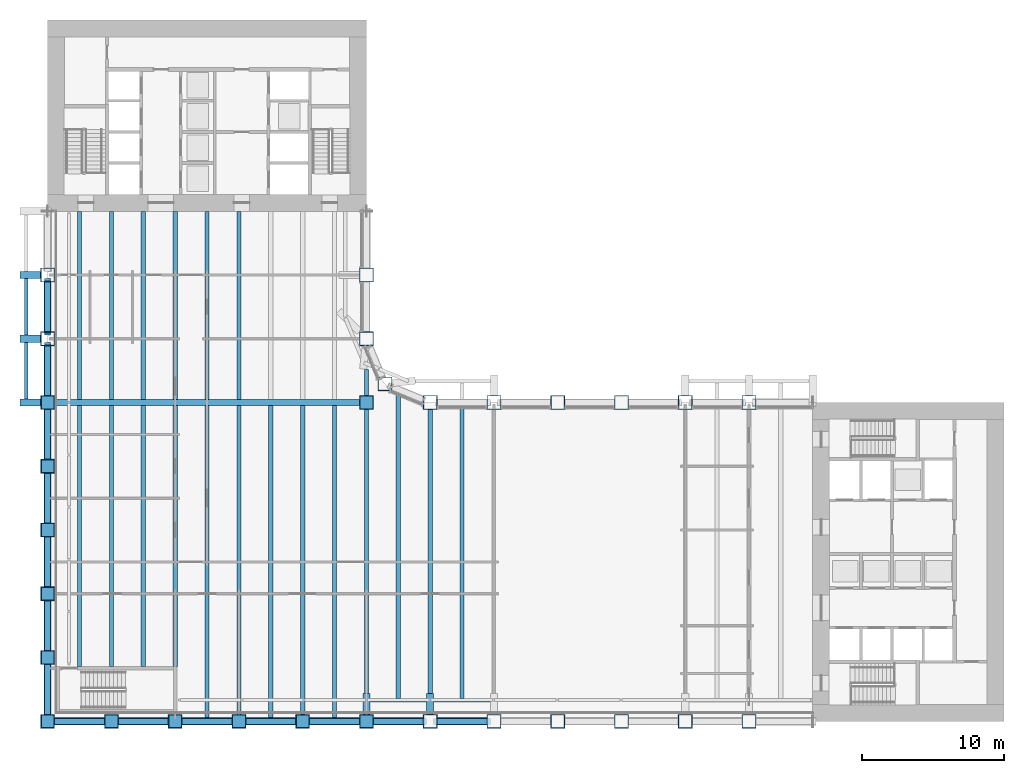
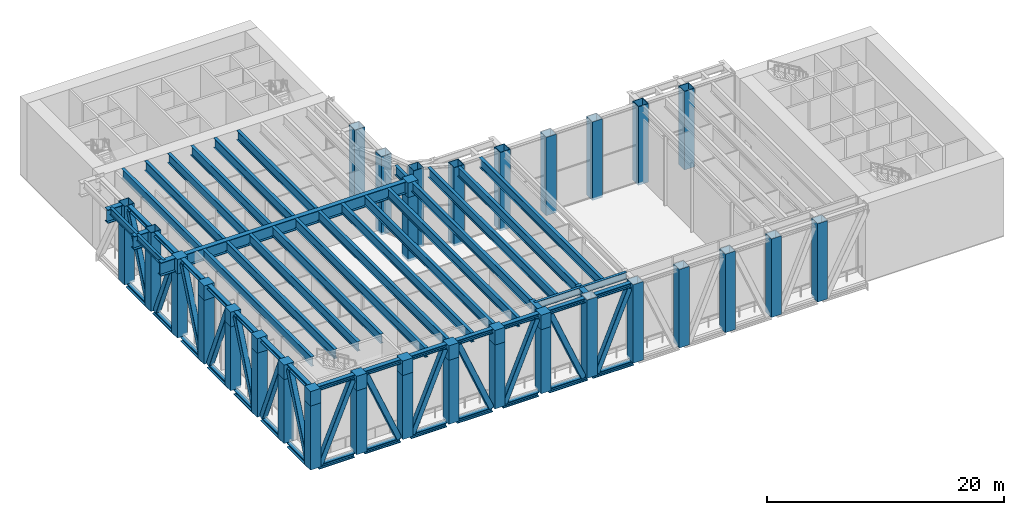
# One storey, part 1 of 21: 42 members, 41 columns, 30 beams.
"""IFC4 building model written with IfcOpenShell, lengths in metres."""

from ifc_helpers import new_model, si_unit, direction, frame, origin, origin_2d, place, context, subcontext, project, spatial, rectangle, hollow_rectangle, i_section, extrude, material, material_profile, profile_set, type_object, element, save


model = new_model("IFC4")

# Units and contexts
model_context = context("Model", 3, precision=1e-05, world=origin(), true_north=direction((0.0, 1.0)))
body_context = subcontext(model_context, "Body", "Model", "MODEL_VIEW")
ifc_project = project(units=[si_unit("LENGTHUNIT", "METRE"), si_unit("AREAUNIT", "SQUARE_METRE"), si_unit("VOLUMEUNIT", "CUBIC_METRE"), si_unit("PLANEANGLEUNIT", "RADIAN"), si_unit("MASSUNIT", "GRAM", prefix="KILO")], contexts=[model_context])

# Site, building, storey
site_placement = place(None, origin())
site = spatial("IfcSite", under=ifc_project, at=site_placement, CompositionType="ELEMENT")
building_placement = place(site_placement, origin())
building = spatial("IfcBuilding", under=site, at=building_placement, Name="Sennacour Bend Tower", CompositionType="ELEMENT")
storey_placement = place(building_placement, frame((0.0, 0.0, 131.0)))
storey = spatial("IfcBuildingStorey", under=building, at=storey_placement, Name="L30", CompositionType="ELEMENT", Elevation=131.0)

# Columns
ifc_material_1 = material(Name="Steel ASTM A572 Grade 50", Category="steel")
ifc_material_profile_1 = material_profile(ifc_material_1, hollow_rectangle(XDim=1.0, YDim=1.0, WallThickness=0.050048828125, at=origin_2d()), Name="Steel ASTM A572 Grade 50", Category="steel")
ifc_profile_set_1 = profile_set([ifc_material_profile_1], Name="Steel ASTM A572 Grade 50")
column_type_1 = type_object("IfcColumnType", Name="Box column 1000", PredefinedType="COLUMN", material=ifc_profile_set_1)
for number, where, z_axis, x_axis, name in (
    (1, (0.0, 0.0, -0.25), (0.0, 0.0, 1.0), (1.0, 0.0, 0.0), "Perimeter column C2 L30-001"),
    (2, (0.0, 4.5, -0.25), (0.0, 0.0, 1.0), (1.0, 0.0, 0.0), "Perimeter column C2 L30-002"),
    (3, (0.0, 9.0, -0.25), (0.0, 0.0, 1.0), (1.0, 0.0, 0.0), "Perimeter column C2 L30-003"),
    (4, (0.0, 13.5, -0.25), (0.0, 0.0, 1.0), (1.0, 0.0, 0.0), "Perimeter column C2 L30-004"),
    (5, (0.0, 18.0, -0.25), (0.0, 0.0, 1.0), (1.0, 0.0, 0.0), "Perimeter column C2 L30-005"),
    (6, (0.0, 22.5, -0.25), (0.0, 0.0, 1.0), (1.0, 0.0, 0.0), "Perimeter column C2 L30-006"),
):
    element("IfcColumn", number, at=place(storey_placement, frame(where, z_axis=z_axis, x_axis=x_axis)), inside=storey, type_object=column_type_1, Name=name, PredefinedType="COLUMN", context=body_context, shape_type="SweptSolid", body=[
        extrude(hollow_rectangle(XDim=1.0, YDim=1.0, WallThickness=0.050048828125, at=origin_2d()), origin(), (0.0, 0.0, 1.0), 6.60009765625),
    ])
for number, where, z_axis, x_axis, name in (
    (7, (0.0, 27.0, -0.25), (0.0, 0.0, 1.0), (1.0, 0.0, 0.0), "Perimeter column C2 L30-007"),
    (8, (0.0, 31.5, -0.25), (0.0, 0.0, 1.0), (1.0, 0.0, 0.0), "Perimeter column C2 L30-008"),
):
    element("IfcColumn", number, at=place(storey_placement, frame(where, z_axis=z_axis, x_axis=x_axis)), inside=storey, type_object=column_type_1, Name=name, PredefinedType="COLUMN", context=body_context, shape_type="SweptSolid", body=[
        extrude(hollow_rectangle(XDim=1.0, YDim=1.0, WallThickness=0.050048828125, at=origin_2d()), origin(), (0.0, 0.0, 1.0), 8.10009765625),
    ])
for number, where, z_axis, x_axis, name in (
    (9, (4.5, 0.0, -0.25), (0.0, 0.0, 1.0), (1.0, 0.0, 0.0), "Perimeter column C2 L30-009"),
    (10, (9.0, 0.0, -0.25), (0.0, 0.0, 1.0), (1.0, 0.0, 0.0), "Perimeter column C2 L30-010"),
    (11, (13.5, 0.0, -0.25), (0.0, 0.0, 1.0), (1.0, 0.0, 0.0), "Perimeter column C2 L30-011"),
    (12, (18.0, 0.0, -0.25), (0.0, 0.0, 1.0), (1.0, 0.0, 0.0), "Perimeter column C2 L30-012"),
    (13, (22.5, 0.0, -0.25), (0.0, 0.0, 1.0), (1.0, 0.0, 0.0), "Perimeter column C2 L30-013"),
    (14, (22.5, 22.5, -0.25), (0.0, 0.0, 1.0), (1.0, 0.0, 0.0), "Knuckle column C2 L30-014"),
):
    element("IfcColumn", number, at=place(storey_placement, frame(where, z_axis=z_axis, x_axis=x_axis)), inside=storey, type_object=column_type_1, Name=name, PredefinedType="COLUMN", context=body_context, shape_type="SweptSolid", body=[
        extrude(hollow_rectangle(XDim=1.0, YDim=1.0, WallThickness=0.050048828125, at=origin_2d()), origin(), (0.0, 0.0, 1.0), 6.60009765625),
    ])
for number, where, z_axis, x_axis, name in (
    (15, (22.5, 27.0, -0.25), (0.0, 0.0, 1.0), (1.0, 0.0, 0.0), "Perimeter column C2 L30-015"),
    (16, (22.5, 31.5, -0.25), (0.0, 0.0, 1.0), (1.0, 0.0, 0.0), "Perimeter column C2 L30-016"),
    (17, (23.818115234375, 23.818115234375, -0.25), (0.0, 0.0, 1.0), (1.0, 0.0, 0.0), "Perimeter column C2 L30-017"),
    (18, (27.0, 0.0, -0.25), (0.0, 0.0, 1.0), (1.0, 0.0, 0.0), "Perimeter column C2 L30-018"),
    (19, (27.0, 22.5, -0.25), (0.0, 0.0, 1.0), (1.0, 0.0, 0.0), "Perimeter column C2 L30-019"),
    (20, (31.5, 0.0, -0.25), (0.0, 0.0, 1.0), (1.0, 0.0, 0.0), "Perimeter column C2 L30-020"),
    (21, (31.5, 22.5, -0.25), (0.0, 0.0, 1.0), (1.0, 0.0, 0.0), "Perimeter column C2 L30-021"),
    (22, (36.0, 0.0, -0.25), (0.0, 0.0, 1.0), (1.0, 0.0, 0.0), "Perimeter column C2 L30-022"),
    (23, (36.0, 22.5, -0.25), (0.0, 0.0, 1.0), (1.0, 0.0, 0.0), "Perimeter column C2 L30-023"),
    (24, (40.5, 0.0, -0.25), (0.0, 0.0, 1.0), (1.0, 0.0, 0.0), "Perimeter column C2 L30-024"),
    (25, (40.5, 22.5, -0.25), (0.0, 0.0, 1.0), (1.0, 0.0, 0.0), "Perimeter column C2 L30-025"),
    (26, (45.0, 0.0, -0.25), (0.0, 0.0, 1.0), (1.0, 0.0, 0.0), "Perimeter column C2 L30-026"),
    (27, (45.0, 22.5, -0.25), (0.0, 0.0, 1.0), (1.0, 0.0, 0.0), "Perimeter column C2 L30-027"),
    (28, (49.5, 0.0, -0.25), (0.0, 0.0, 1.0), (1.0, 0.0, 0.0), "Perimeter column C2 L30-028"),
    (29, (49.5, 22.5, -0.25), (0.0, 0.0, 1.0), (1.0, 0.0, 0.0), "Perimeter column C2 L30-029"),
):
    element("IfcColumn", number, at=place(storey_placement, frame(where, z_axis=z_axis, x_axis=x_axis)), inside=storey, type_object=column_type_1, Name=name, PredefinedType="COLUMN", context=body_context, shape_type="SweptSolid", body=[
        extrude(hollow_rectangle(XDim=1.0, YDim=1.0, WallThickness=0.050048828125, at=origin_2d()), origin(), (0.0, 0.0, 1.0), 8.10009765625),
    ])
ifc_material_profile_2 = material_profile(ifc_material_1, rectangle(XDim=1.0, YDim=1.0, at=origin_2d()), Name="Steel ASTM A572 Grade 50", Category="steel")
ifc_profile_set_2 = profile_set([ifc_material_profile_2], Name="Steel ASTM A572 Grade 50")
column_type_2 = type_object("IfcColumnType", Name="Column head block 1000", PredefinedType="COLUMN", material=ifc_profile_set_2)
for number, where, z_axis, x_axis, name in (
    (30, (0.0, 0.0, 6.35009765625), (0.0, 0.0, 1.0), (1.0, 0.0, 0.0), "Column head block L30-001"),
    (31, (0.0, 4.5, 6.35009765625), (0.0, 0.0, 1.0), (1.0, 0.0, 0.0), "Column head block L30-002"),
    (32, (0.0, 9.0, 6.35009765625), (0.0, 0.0, 1.0), (1.0, 0.0, 0.0), "Column head block L30-003"),
    (33, (0.0, 13.5, 6.35009765625), (0.0, 0.0, 1.0), (1.0, 0.0, 0.0), "Column head block L30-004"),
    (34, (0.0, 18.0, 6.35009765625), (0.0, 0.0, 1.0), (1.0, 0.0, 0.0), "Column head block L30-005"),
    (35, (0.0, 22.5, 6.35009765625), (0.0, 0.0, 1.0), (1.0, 0.0, 0.0), "Column head block L30-006"),
    (36, (4.5, 0.0, 6.35009765625), (0.0, 0.0, 1.0), (1.0, 0.0, 0.0), "Column head block L30-009"),
    (37, (9.0, 0.0, 6.35009765625), (0.0, 0.0, 1.0), (1.0, 0.0, 0.0), "Column head block L30-010"),
    (38, (13.5, 0.0, 6.35009765625), (0.0, 0.0, 1.0), (1.0, 0.0, 0.0), "Column head block L30-011"),
    (39, (18.0, 0.0, 6.35009765625), (0.0, 0.0, 1.0), (1.0, 0.0, 0.0), "Column head block L30-012"),
    (40, (22.5, 0.0, 6.35009765625), (0.0, 0.0, 1.0), (1.0, 0.0, 0.0), "Column head block L30-013"),
    (41, (22.5, 22.5, 6.35009765625), (0.0, 0.0, 1.0), (1.0, 0.0, 0.0), "Column head block L30-014"),
):
    element("IfcColumn", number, at=place(storey_placement, frame(where, z_axis=z_axis, x_axis=x_axis)), inside=storey, type_object=column_type_2, Name=name, PredefinedType="COLUMN", context=body_context, shape_type="SweptSolid", body=[
        extrude(rectangle(XDim=1.0, YDim=1.0, at=origin_2d()), origin(), (0.0, 0.0, 1.0), 1.5),
    ])

# Members
ifc_material_2 = material(Name="Steel ASTM A992 Grade 50", Category="steel")
ifc_material_profile_3 = material_profile(ifc_material_2, i_section(OverallWidth=0.4189453125, OverallDepth=0.455078125, WebThickness=0.042236328125, FlangeThickness=0.067626953125, FilletRadius=0.01513671875, at=origin_2d()), Name="Steel ASTM A992 Grade 50", Category="steel")
ifc_profile_set_3 = profile_set([ifc_material_profile_3], Name="Steel ASTM A992 Grade 50")
member_type_1 = type_object("IfcMemberType", Name="Belt truss chord W360X551", PredefinedType="CHORD", material=ifc_profile_set_3)
member_1_placement = place(storey_placement, frame((0.0, 23.0, -0.4775390625), z_axis=(0.0, 1.0, 0.0), x_axis=(-1.0, 0.0, 0.0)))
element("IfcMember", 42, at=member_1_placement, inside=storey, type_object=member_type_1, Name="Belt truss chord BC L30-001", PredefinedType="CHORD", context=body_context, shape_type="SweptSolid", body=[
    extrude(i_section(OverallWidth=0.4189453125, OverallDepth=0.455078125, WebThickness=0.042236328125, FlangeThickness=0.067626953125, FilletRadius=0.01513671875, at=origin_2d()), origin(), (0.0, 0.0, 1.0), 3.75),
])
for number, where, z_axis, x_axis, name in (
    (43, (0.0, 27.25, -0.4775390625), (0.0, 1.0, 0.0), (-1.0, 0.0, 0.0), "Belt truss chord BC L30-002"),
    (44, (31.25, 0.0, -0.4775390625), (-1.0, 0.0, 0.0), (0.0, -1.0, 0.0), "Belt truss chord BC L30-019"),
):
    element("IfcMember", number, at=place(storey_placement, frame(where, z_axis=z_axis, x_axis=x_axis)), inside=storey, type_object=member_type_1, Name=name, PredefinedType="CHORD", context=body_context, shape_type="SweptSolid", body=[
        extrude(i_section(OverallWidth=0.4189453125, OverallDepth=0.455078125, WebThickness=0.042236328125, FlangeThickness=0.067626953125, FilletRadius=0.01513671875, at=origin_2d()), origin(), (0.0, 0.0, 1.0), 4.0),
    ])
member_2_placement = place(storey_placement, frame((26.75, 0.0, -0.4775390625), z_axis=(-1.0, 0.0, 0.0), x_axis=(0.0, -1.0, 0.0)))
element("IfcMember", 45, at=member_2_placement, inside=storey, type_object=member_type_1, Name="Belt truss chord BC L30-020", PredefinedType="CHORD", context=body_context, shape_type="SweptSolid", body=[
    extrude(i_section(OverallWidth=0.4189453125, OverallDepth=0.455078125, WebThickness=0.042236328125, FlangeThickness=0.067626953125, FilletRadius=0.01513671875, at=origin_2d()), origin(), (0.0, 0.0, 1.0), 3.75),
])
for number, where, z_axis, x_axis, name in (
    (46, (22.0, 0.0, -0.4775390625), (-1.0, 0.0, 0.0), (0.0, -1.0, 0.0), "Belt truss chord BC L30-021"),
    (47, (17.5, 0.0, -0.4775390625), (-1.0, 0.0, 0.0), (0.0, -1.0, 0.0), "Belt truss chord BC L30-022"),
    (48, (13.0, 0.0, -0.4775390625), (-1.0, 0.0, 0.0), (0.0, -1.0, 0.0), "Belt truss chord BC L30-023"),
    (49, (8.5, 0.0, -0.4775390625), (-1.0, 0.0, 0.0), (0.0, -1.0, 0.0), "Belt truss chord BC L30-024"),
    (50, (4.0, 0.0, -0.4775390625), (-1.0, 0.0, 0.0), (0.0, -1.0, 0.0), "Belt truss chord BC L30-025"),
    (51, (0.0, 0.5, -0.4775390625), (0.0, 1.0, 0.0), (-1.0, 0.0, 0.0), "Belt truss chord BC L30-026"),
    (52, (0.0, 5.0, -0.4775390625), (0.0, 1.0, 0.0), (-1.0, 0.0, 0.0), "Belt truss chord BC L30-027"),
    (53, (0.0, 9.5, -0.4775390625), (0.0, 1.0, 0.0), (-1.0, 0.0, 0.0), "Belt truss chord BC L30-028"),
    (54, (0.0, 14.0, -0.4775390625), (0.0, 1.0, 0.0), (-1.0, 0.0, 0.0), "Belt truss chord BC L30-029"),
    (55, (0.0, 18.5, -0.4775390625), (0.0, 1.0, 0.0), (-1.0, 0.0, 0.0), "Belt truss chord BC L30-030"),
    (56, (0.0, 23.0, 7.62255859375), (0.0, 1.0, 0.0), (-1.0, 0.0, 0.0), "Belt truss chord BC L30-001"),
    (57, (0.0, 27.5, 7.62255859375), (0.0, 1.0, 0.0), (-1.0, 0.0, 0.0), "Belt truss chord BC L30-002"),
    (58, (31.0, 0.0, 7.62255859375), (-1.0, 0.0, 0.0), (0.0, -1.0, 0.0), "Belt truss chord BC L30-019"),
    (59, (26.5, 0.0, 7.62255859375), (-1.0, 0.0, 0.0), (0.0, -1.0, 0.0), "Belt truss chord BC L30-020"),
    (60, (22.0, 0.0, 7.62255859375), (-1.0, 0.0, 0.0), (0.0, -1.0, 0.0), "Belt truss chord BC L30-021"),
    (61, (17.5, 0.0, 7.62255859375), (-1.0, 0.0, 0.0), (0.0, -1.0, 0.0), "Belt truss chord BC L30-022"),
    (62, (13.0, 0.0, 7.62255859375), (-1.0, 0.0, 0.0), (0.0, -1.0, 0.0), "Belt truss chord BC L30-023"),
    (63, (8.5, 0.0, 7.62255859375), (-1.0, 0.0, 0.0), (0.0, -1.0, 0.0), "Belt truss chord BC L30-024"),
    (64, (4.0, 0.0, 7.62255859375), (-1.0, 0.0, 0.0), (0.0, -1.0, 0.0), "Belt truss chord BC L30-025"),
    (65, (0.0, 0.5, 7.62255859375), (0.0, 1.0, 0.0), (-1.0, 0.0, 0.0), "Belt truss chord BC L30-026"),
    (66, (0.0, 5.0, 7.62255859375), (0.0, 1.0, 0.0), (-1.0, 0.0, 0.0), "Belt truss chord BC L30-027"),
    (67, (0.0, 9.5, 7.62255859375), (0.0, 1.0, 0.0), (-1.0, 0.0, 0.0), "Belt truss chord BC L30-028"),
    (68, (0.0, 14.0, 7.62255859375), (0.0, 1.0, 0.0), (-1.0, 0.0, 0.0), "Belt truss chord BC L30-029"),
    (69, (0.0, 18.5, 7.62255859375), (0.0, 1.0, 0.0), (-1.0, 0.0, 0.0), "Belt truss chord BC L30-030"),
):
    element("IfcMember", number, at=place(storey_placement, frame(where, z_axis=z_axis, x_axis=x_axis)), inside=storey, type_object=member_type_1, Name=name, PredefinedType="CHORD", context=body_context, shape_type="SweptSolid", body=[
        extrude(i_section(OverallWidth=0.4189453125, OverallDepth=0.455078125, WebThickness=0.042236328125, FlangeThickness=0.067626953125, FilletRadius=0.01513671875, at=origin_2d()), origin(), (0.0, 0.0, 1.0), 3.5),
    ])
ifc_material_3 = material(Name="Steel ASTM A500 Grade C", Category="steel")
ifc_material_profile_4 = material_profile(ifc_material_3, hollow_rectangle(XDim=0.508056640625, YDim=0.508056640625, WallThickness=0.01904296875, InnerFilletRadius=0.01904296875, OuterFilletRadius=0.0380859375, at=origin_2d()), Name="Steel ASTM A500 Grade C", Category="steel")
ifc_profile_set_4 = profile_set([ifc_material_profile_4], Name="Steel ASTM A500 Grade C")
member_type_2 = type_object("IfcMemberType", Name="Belt truss diagonal 508", PredefinedType="BRACE", material=ifc_profile_set_4)
for number, where, z_axis, x_axis, name in (
    (70, (0.0, 23.14990234375, 7.39501953125), (0.0, 0.386133424753, -0.922442940397), (-1.0, 0.0, 0.0), "Belt truss diagonal BD L30-001"),
    (71, (0.0, 27.64990234375, -0.25), (0.0, 0.386133424753, 0.922442940397), (-1.0, 0.0, 0.0), "Belt truss diagonal BD L30-002"),
    (72, (30.85009765625, 0.0, 7.39501953125), (-0.386133424753, 0.0, -0.922442940397), (0.0, -1.0, 0.0), "Belt truss diagonal BD L30-015"),
    (73, (26.35009765625, 0.0, -0.25), (-0.386133424753, 0.0, 0.922442940397), (0.0, -1.0, 0.0), "Belt truss diagonal BD L30-016"),
    (74, (21.85009765625, 0.0, 7.39501953125), (-0.386133424753, 0.0, -0.922442940397), (0.0, -1.0, 0.0), "Belt truss diagonal BD L30-017"),
    (75, (17.35009765625, 0.0, -0.25), (-0.386133424753, 0.0, 0.922442940397), (0.0, -1.0, 0.0), "Belt truss diagonal BD L30-018"),
    (76, (12.85009765625, 0.0, 7.39501953125), (-0.386133424753, 0.0, -0.922442940397), (0.0, -1.0, 0.0), "Belt truss diagonal BD L30-019"),
    (77, (8.35009765625, 0.0, -0.25), (-0.386133424753, 0.0, 0.922442940397), (0.0, -1.0, 0.0), "Belt truss diagonal BD L30-020"),
    (78, (3.85009765625, 0.0, 7.39501953125), (-0.386133424753, 0.0, -0.922442940397), (0.0, -1.0, 0.0), "Belt truss diagonal BD L30-021"),
    (79, (0.0, 0.64990234375, -0.25), (0.0, 0.386133424753, 0.922442940397), (-1.0, 0.0, 0.0), "Belt truss diagonal BD L30-022"),
    (80, (0.0, 5.14990234375, 7.39501953125), (0.0, 0.386133424753, -0.922442940397), (-1.0, 0.0, 0.0), "Belt truss diagonal BD L30-023"),
    (81, (0.0, 9.64990234375, -0.25), (0.0, 0.386133424753, 0.922442940397), (-1.0, 0.0, 0.0), "Belt truss diagonal BD L30-024"),
    (82, (0.0, 14.14990234375, 7.39501953125), (0.0, 0.386133424753, -0.922442940397), (-1.0, 0.0, 0.0), "Belt truss diagonal BD L30-025"),
    (83, (0.0, 18.64990234375, -0.25), (0.0, 0.386133424753, 0.922442940397), (-1.0, 0.0, 0.0), "Belt truss diagonal BD L30-026"),
):
    element("IfcMember", number, at=place(storey_placement, frame(where, z_axis=z_axis, x_axis=x_axis)), inside=storey, type_object=member_type_2, Name=name, PredefinedType="BRACE", context=body_context, shape_type="SweptSolid", body=[
        extrude(hollow_rectangle(XDim=0.508056640625, YDim=0.508056640625, WallThickness=0.01904296875, InnerFilletRadius=0.01904296875, OuterFilletRadius=0.0380859375, at=origin_2d()), origin(), (0.0, 0.0, 1.0), 8.287841796875),
    ])

# Beams
ifc_material_profile_5 = material_profile(ifc_material_2, i_section(OverallWidth=0.300048828125, OverallDepth=0.97998046875, WebThickness=0.0166015625, FlangeThickness=0.026123046875, FilletRadius=0.02978515625, at=origin_2d()), Name="Steel ASTM A992 Grade 50", Category="steel")
ifc_profile_set_5 = profile_set([ifc_material_profile_5], Name="Steel ASTM A992 Grade 50")
beam_type_1 = type_object("IfcBeamType", Name="Floor beam W1000X249", PredefinedType="BEAM", material=ifc_profile_set_5)
beam_1_placement = place(storey_placement, frame((2.25, 3.875, 7.360107421875), z_axis=(0.0, 1.0, 0.0), x_axis=(-1.0, 0.0, 0.0)))
element("IfcBeam", 84, at=beam_1_placement, inside=storey, type_object=beam_type_1, Name="Floor beam FBM2 L31-001", PredefinedType="BEAM", context=body_context, shape_type="SweptSolid", body=[
    extrude(i_section(OverallWidth=0.300048828125, OverallDepth=0.97998046875, WebThickness=0.0166015625, FlangeThickness=0.026123046875, FilletRadius=0.02978515625, at=origin_2d()), origin(), (0.0, 0.0, 1.0), 18.39990234375),
])
beam_2_placement = place(storey_placement, frame((2.25, 22.72509765625, 7.360107421875), z_axis=(0.0, 1.0, 0.0), x_axis=(-1.0, 0.0, 0.0)))
element("IfcBeam", 85, at=beam_2_placement, inside=storey, type_object=beam_type_1, Name="Floor beam FBM2 L31-002", PredefinedType="BEAM", context=body_context, shape_type="SweptSolid", body=[
    extrude(i_section(OverallWidth=0.300048828125, OverallDepth=0.97998046875, WebThickness=0.0166015625, FlangeThickness=0.026123046875, FilletRadius=0.02978515625, at=origin_2d()), origin(), (0.0, 0.0, 1.0), 13.27490234375),
])
beam_3_placement = place(storey_placement, frame((4.5, 3.875, 7.360107421875), z_axis=(0.0, 1.0, 0.0), x_axis=(-1.0, 0.0, 0.0)))
element("IfcBeam", 86, at=beam_3_placement, inside=storey, type_object=beam_type_1, Name="Floor beam FBM2 L31-003", PredefinedType="BEAM", context=body_context, shape_type="SweptSolid", body=[
    extrude(i_section(OverallWidth=0.300048828125, OverallDepth=0.97998046875, WebThickness=0.0166015625, FlangeThickness=0.026123046875, FilletRadius=0.02978515625, at=origin_2d()), origin(), (0.0, 0.0, 1.0), 18.39990234375),
])
beam_4_placement = place(storey_placement, frame((4.5, 22.72509765625, 7.360107421875), z_axis=(0.0, 1.0, 0.0), x_axis=(-1.0, 0.0, 0.0)))
element("IfcBeam", 87, at=beam_4_placement, inside=storey, type_object=beam_type_1, Name="Floor beam FBM2 L31-004", PredefinedType="BEAM", context=body_context, shape_type="SweptSolid", body=[
    extrude(i_section(OverallWidth=0.300048828125, OverallDepth=0.97998046875, WebThickness=0.0166015625, FlangeThickness=0.026123046875, FilletRadius=0.02978515625, at=origin_2d()), origin(), (0.0, 0.0, 1.0), 13.27490234375),
])
beam_5_placement = place(storey_placement, frame((6.75, 3.875, 7.360107421875), z_axis=(0.0, 1.0, 0.0), x_axis=(-1.0, 0.0, 0.0)))
element("IfcBeam", 88, at=beam_5_placement, inside=storey, type_object=beam_type_1, Name="Floor beam FBM2 L31-005", PredefinedType="BEAM", context=body_context, shape_type="SweptSolid", body=[
    extrude(i_section(OverallWidth=0.300048828125, OverallDepth=0.97998046875, WebThickness=0.0166015625, FlangeThickness=0.026123046875, FilletRadius=0.02978515625, at=origin_2d()), origin(), (0.0, 0.0, 1.0), 18.39990234375),
])
beam_6_placement = place(storey_placement, frame((6.75, 22.72509765625, 7.360107421875), z_axis=(0.0, 1.0, 0.0), x_axis=(-1.0, 0.0, 0.0)))
element("IfcBeam", 89, at=beam_6_placement, inside=storey, type_object=beam_type_1, Name="Floor beam FBM2 L31-006", PredefinedType="BEAM", context=body_context, shape_type="SweptSolid", body=[
    extrude(i_section(OverallWidth=0.300048828125, OverallDepth=0.97998046875, WebThickness=0.0166015625, FlangeThickness=0.026123046875, FilletRadius=0.02978515625, at=origin_2d()), origin(), (0.0, 0.0, 1.0), 13.27490234375),
])
beam_7_placement = place(storey_placement, frame((9.0, 3.875, 7.360107421875), z_axis=(0.0, 1.0, 0.0), x_axis=(-1.0, 0.0, 0.0)))
element("IfcBeam", 90, at=beam_7_placement, inside=storey, type_object=beam_type_1, Name="Floor beam FBM2 L31-007", PredefinedType="BEAM", context=body_context, shape_type="SweptSolid", body=[
    extrude(i_section(OverallWidth=0.300048828125, OverallDepth=0.97998046875, WebThickness=0.0166015625, FlangeThickness=0.026123046875, FilletRadius=0.02978515625, at=origin_2d()), origin(), (0.0, 0.0, 1.0), 18.39990234375),
])
beam_8_placement = place(storey_placement, frame((9.0, 22.72509765625, 7.360107421875), z_axis=(0.0, 1.0, 0.0), x_axis=(-1.0, 0.0, 0.0)))
element("IfcBeam", 91, at=beam_8_placement, inside=storey, type_object=beam_type_1, Name="Floor beam FBM2 L31-008", PredefinedType="BEAM", context=body_context, shape_type="SweptSolid", body=[
    extrude(i_section(OverallWidth=0.300048828125, OverallDepth=0.97998046875, WebThickness=0.0166015625, FlangeThickness=0.026123046875, FilletRadius=0.02978515625, at=origin_2d()), origin(), (0.0, 0.0, 1.0), 13.27490234375),
])
beam_9_placement = place(storey_placement, frame((11.25, 0.20947265625, 7.360107421875), z_axis=(0.0, 1.0, 0.0), x_axis=(-1.0, 0.0, 0.0)))
element("IfcBeam", 92, at=beam_9_placement, inside=storey, type_object=beam_type_1, Name="Floor beam FBM2 L31-009", PredefinedType="BEAM", context=body_context, shape_type="SweptSolid", body=[
    extrude(i_section(OverallWidth=0.300048828125, OverallDepth=0.97998046875, WebThickness=0.0166015625, FlangeThickness=0.026123046875, FilletRadius=0.02978515625, at=origin_2d()), origin(), (0.0, 0.0, 1.0), 22.0654296875),
])
beam_10_placement = place(storey_placement, frame((11.25, 22.72509765625, 7.360107421875), z_axis=(0.0, 1.0, 0.0), x_axis=(-1.0, 0.0, 0.0)))
element("IfcBeam", 93, at=beam_10_placement, inside=storey, type_object=beam_type_1, Name="Floor beam FBM2 L31-010", PredefinedType="BEAM", context=body_context, shape_type="SweptSolid", body=[
    extrude(i_section(OverallWidth=0.300048828125, OverallDepth=0.97998046875, WebThickness=0.0166015625, FlangeThickness=0.026123046875, FilletRadius=0.02978515625, at=origin_2d()), origin(), (0.0, 0.0, 1.0), 13.27490234375),
])
beam_11_placement = place(storey_placement, frame((13.5, 0.5, 7.360107421875), z_axis=(0.0, 1.0, 0.0), x_axis=(-1.0, 0.0, 0.0)))
element("IfcBeam", 94, at=beam_11_placement, inside=storey, type_object=beam_type_1, Name="Floor beam FBM2 L31-011", PredefinedType="BEAM", context=body_context, shape_type="SweptSolid", body=[
    extrude(i_section(OverallWidth=0.300048828125, OverallDepth=0.97998046875, WebThickness=0.0166015625, FlangeThickness=0.026123046875, FilletRadius=0.02978515625, at=origin_2d()), origin(), (0.0, 0.0, 1.0), 21.77490234375),
])
beam_12_placement = place(storey_placement, frame((13.5, 22.72509765625, 7.360107421875), z_axis=(0.0, 1.0, 0.0), x_axis=(-1.0, 0.0, 0.0)))
element("IfcBeam", 95, at=beam_12_placement, inside=storey, type_object=beam_type_1, Name="Floor beam FBM2 L31-012", PredefinedType="BEAM", context=body_context, shape_type="SweptSolid", body=[
    extrude(i_section(OverallWidth=0.300048828125, OverallDepth=0.97998046875, WebThickness=0.0166015625, FlangeThickness=0.026123046875, FilletRadius=0.02978515625, at=origin_2d()), origin(), (0.0, 0.0, 1.0), 13.27490234375),
])
beam_13_placement = place(storey_placement, frame((15.75, 0.20947265625, 7.360107421875), z_axis=(0.0, 1.0, 0.0), x_axis=(-1.0, 0.0, 0.0)))
element("IfcBeam", 96, at=beam_13_placement, inside=storey, type_object=beam_type_1, Name="Floor beam FBM2 L31-013", PredefinedType="BEAM", context=body_context, shape_type="SweptSolid", body=[
    extrude(i_section(OverallWidth=0.300048828125, OverallDepth=0.97998046875, WebThickness=0.0166015625, FlangeThickness=0.026123046875, FilletRadius=0.02978515625, at=origin_2d()), origin(), (0.0, 0.0, 1.0), 22.0654296875),
])
beam_14_placement = place(storey_placement, frame((18.0, 0.5, 7.360107421875), z_axis=(0.0, 1.0, 0.0), x_axis=(-1.0, 0.0, 0.0)))
element("IfcBeam", 97, at=beam_14_placement, inside=storey, type_object=beam_type_1, Name="Floor beam FBM2 L31-015", PredefinedType="BEAM", context=body_context, shape_type="SweptSolid", body=[
    extrude(i_section(OverallWidth=0.300048828125, OverallDepth=0.97998046875, WebThickness=0.0166015625, FlangeThickness=0.026123046875, FilletRadius=0.02978515625, at=origin_2d()), origin(), (0.0, 0.0, 1.0), 21.77490234375),
])
beam_15_placement = place(storey_placement, frame((20.25, 0.20947265625, 7.360107421875), z_axis=(0.0, 1.0, 0.0), x_axis=(-1.0, 0.0, 0.0)))
element("IfcBeam", 98, at=beam_15_placement, inside=storey, type_object=beam_type_1, Name="Floor beam FBM2 L31-017", PredefinedType="BEAM", context=body_context, shape_type="SweptSolid", body=[
    extrude(i_section(OverallWidth=0.300048828125, OverallDepth=0.97998046875, WebThickness=0.0166015625, FlangeThickness=0.026123046875, FilletRadius=0.02978515625, at=origin_2d()), origin(), (0.0, 0.0, 1.0), 22.0654296875),
])
beam_16_placement = place(storey_placement, frame((22.5, 1.949951171875, 7.360107421875), z_axis=(0.0, 1.0, 0.0), x_axis=(-1.0, 0.0, 0.0)))
element("IfcBeam", 99, at=beam_16_placement, inside=storey, type_object=beam_type_1, Name="Floor beam FBM2 L31-019", PredefinedType="BEAM", context=body_context, shape_type="SweptSolid", body=[
    extrude(i_section(OverallWidth=0.300048828125, OverallDepth=0.97998046875, WebThickness=0.0166015625, FlangeThickness=0.026123046875, FilletRadius=0.02978515625, at=origin_2d()), origin(), (0.0, 0.0, 1.0), 20.050048828125),
])
beam_17_placement = place(storey_placement, frame((22.5, 23.0, 7.360107421875), z_axis=(0.0, 1.0, 0.0), x_axis=(-1.0, 0.0, 0.0)))
element("IfcBeam", 100, at=beam_17_placement, inside=storey, type_object=beam_type_1, Name="Floor beam FBM2 L31-020", PredefinedType="BEAM", context=body_context, shape_type="SweptSolid", body=[
    extrude(i_section(OverallWidth=0.300048828125, OverallDepth=0.97998046875, WebThickness=0.0166015625, FlangeThickness=0.026123046875, FilletRadius=0.02978515625, at=origin_2d()), origin(), (0.0, 0.0, 1.0), 1.843017578125),
])
beam_18_placement = place(storey_placement, frame((24.75, 1.626953125, 7.360107421875), z_axis=(0.0, 1.0, 0.0), x_axis=(-1.0, 0.0, 0.0)))
element("IfcBeam", 101, at=beam_18_placement, inside=storey, type_object=beam_type_1, Name="Floor beam FBM2 L31-021", PredefinedType="BEAM", context=body_context, shape_type="SweptSolid", body=[
    extrude(i_section(OverallWidth=0.300048828125, OverallDepth=0.97998046875, WebThickness=0.0166015625, FlangeThickness=0.026123046875, FilletRadius=0.02978515625, at=origin_2d()), origin(), (0.0, 0.0, 1.0), 21.578369140625),
])
beam_19_placement = place(storey_placement, frame((27.0, 1.949951171875, 7.360107421875), z_axis=(0.0, 1.0, 0.0), x_axis=(-1.0, 0.0, 0.0)))
element("IfcBeam", 102, at=beam_19_placement, inside=storey, type_object=beam_type_1, Name="Floor beam FBM2 L31-022", PredefinedType="BEAM", context=body_context, shape_type="SweptSolid", body=[
    extrude(i_section(OverallWidth=0.300048828125, OverallDepth=0.97998046875, WebThickness=0.0166015625, FlangeThickness=0.026123046875, FilletRadius=0.02978515625, at=origin_2d()), origin(), (0.0, 0.0, 1.0), 20.050048828125),
])
beam_20_placement = place(storey_placement, frame((29.25, 1.626953125, 7.360107421875), z_axis=(0.0, 1.0, 0.0), x_axis=(-1.0, 0.0, 0.0)))
element("IfcBeam", 103, at=beam_20_placement, inside=storey, type_object=beam_type_1, Name="Floor beam FBM2 L31-023", PredefinedType="BEAM", context=body_context, shape_type="SweptSolid", body=[
    extrude(i_section(OverallWidth=0.300048828125, OverallDepth=0.97998046875, WebThickness=0.0166015625, FlangeThickness=0.026123046875, FilletRadius=0.02978515625, at=origin_2d()), origin(), (0.0, 0.0, 1.0), 20.66357421875),
])
ifc_material_profile_6 = material_profile(ifc_material_1, i_section(OverallWidth=0.449951171875, OverallDepth=1.25, WebThickness=0.028076171875, FlangeThickness=0.050048828125, at=origin_2d()), Name="Steel ASTM A572 Grade 50", Category="steel")
ifc_profile_set_6 = profile_set([ifc_material_profile_6], Name="Steel ASTM A572 Grade 50")
beam_type_2 = type_object("IfcBeamType", Name="Knuckle girder 1250", PredefinedType="USERDEFINED", material=ifc_profile_set_6)
beam_21_placement = place(storey_placement, frame((0.5, 22.5, 7.22509765625), z_axis=(1.0, 0.0, 0.0), x_axis=(0.0, 1.0, 0.0)))
element("IfcBeam", 104, at=beam_21_placement, inside=storey, type_object=beam_type_2, Name="Knuckle girder GK L31-001", ObjectType="KNUCKLE GIRDER", PredefinedType="USERDEFINED", context=body_context, shape_type="SweptSolid", body=[
    extrude(i_section(OverallWidth=0.449951171875, OverallDepth=1.25, WebThickness=0.028076171875, FlangeThickness=0.050048828125, at=origin_2d()), origin(), (0.0, 0.0, 1.0), 21.5),
])
ifc_material_profile_7 = material_profile(ifc_material_2, i_section(OverallWidth=0.25390625, OverallDepth=0.700927734375, WebThickness=0.015380859375, FlangeThickness=0.02783203125, FilletRadius=0.015380859375, at=origin_2d()), Name="Steel ASTM A992 Grade 50", Category="steel")
ifc_profile_set_7 = profile_set([ifc_material_profile_7], Name="Steel ASTM A992 Grade 50")
beam_type_3 = type_object("IfcBeamType", Name="Spandrel beam W690X192", PredefinedType="SPANDREL", material=ifc_profile_set_7)
for number, where, z_axis, x_axis, name in (
    (105, (31.485107421875, 1.5, 7.49951171875), (-1.0, 0.0, 0.0), (0.0, -1.0, 0.0), "Spandrel beam SP4 L31-007"),
    (106, (26.985107421875, 1.5, 7.49951171875), (-1.0, 0.0, 0.0), (0.0, -1.0, 0.0), "Spandrel beam SP4 L31-008"),
    (107, (-1.5, 22.514892578125, 7.49951171875), (0.0, 1.0, 0.0), (-1.0, 0.0, 0.0), "Spandrel beam SP4 L31-009"),
    (108, (-1.5, 27.014892578125, 7.49951171875), (0.0, 1.0, 0.0), (-1.0, 0.0, 0.0), "Spandrel beam SP4 L31-010"),
):
    element("IfcBeam", number, at=place(storey_placement, frame(where, z_axis=z_axis, x_axis=x_axis)), inside=storey, type_object=beam_type_3, Name=name, PredefinedType="SPANDREL", context=body_context, shape_type="SweptSolid", body=[
        extrude(i_section(OverallWidth=0.25390625, OverallDepth=0.700927734375, WebThickness=0.015380859375, FlangeThickness=0.02783203125, FilletRadius=0.015380859375, at=origin_2d()), origin(), (0.0, 0.0, 1.0), 4.47021484375),
    ])
ifc_material_profile_8 = material_profile(ifc_material_1, i_section(OverallWidth=0.5, OverallDepth=1.39990234375, WebThickness=0.030029296875, FlangeThickness=0.054931640625, at=origin_2d()), Name="Steel ASTM A572 Grade 50", Category="steel")
ifc_profile_set_8 = profile_set([ifc_material_profile_8], Name="Steel ASTM A572 Grade 50")
beam_type_4 = type_object("IfcBeamType", Name="Transfer stub 1400", PredefinedType="USERDEFINED", material=ifc_profile_set_8)
for number, where, z_axis, x_axis, name in (
    (109, (-0.5, 22.5, 7.14990234375), (-1.0, 0.0, 0.0), (0.0, -1.0, 0.0), "Transfer beam TS L31-001"),
    (110, (-0.5, 27.0, 7.14990234375), (-1.0, 0.0, 0.0), (0.0, -1.0, 0.0), "Transfer beam TS L31-002"),
    (111, (-0.5, 31.5, 7.14990234375), (-1.0, 0.0, 0.0), (0.0, -1.0, 0.0), "Transfer beam TS L31-003"),
    (112, (22.5, 0.5, 7.14990234375), (0.0, 1.0, 0.0), (-1.0, 0.0, 0.0), "Transfer beam TS L31-008"),
    (113, (27.0, 0.5, 7.14990234375), (0.0, 1.0, 0.0), (-1.0, 0.0, 0.0), "Transfer beam TS L31-010"),
):
    element("IfcBeam", number, at=place(storey_placement, frame(where, z_axis=z_axis, x_axis=x_axis)), inside=storey, type_object=beam_type_4, Name=name, ObjectType="TRANSFER BEAM", PredefinedType="USERDEFINED", context=body_context, shape_type="SweptSolid", body=[
        extrude(i_section(OverallWidth=0.5, OverallDepth=1.39990234375, WebThickness=0.030029296875, FlangeThickness=0.054931640625, at=origin_2d()), origin(), (0.0, 0.0, 1.0), 1.449951171875),
    ])

save(model, "model.ifc")
